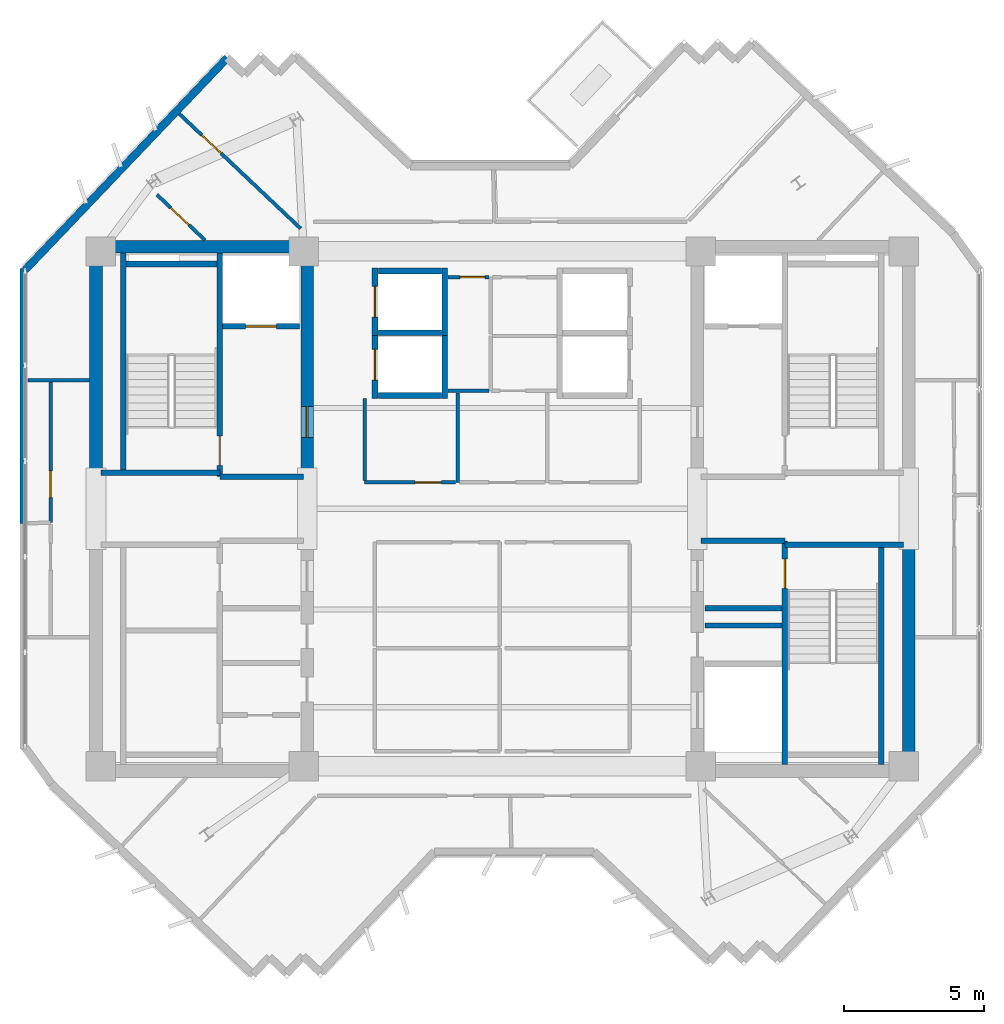
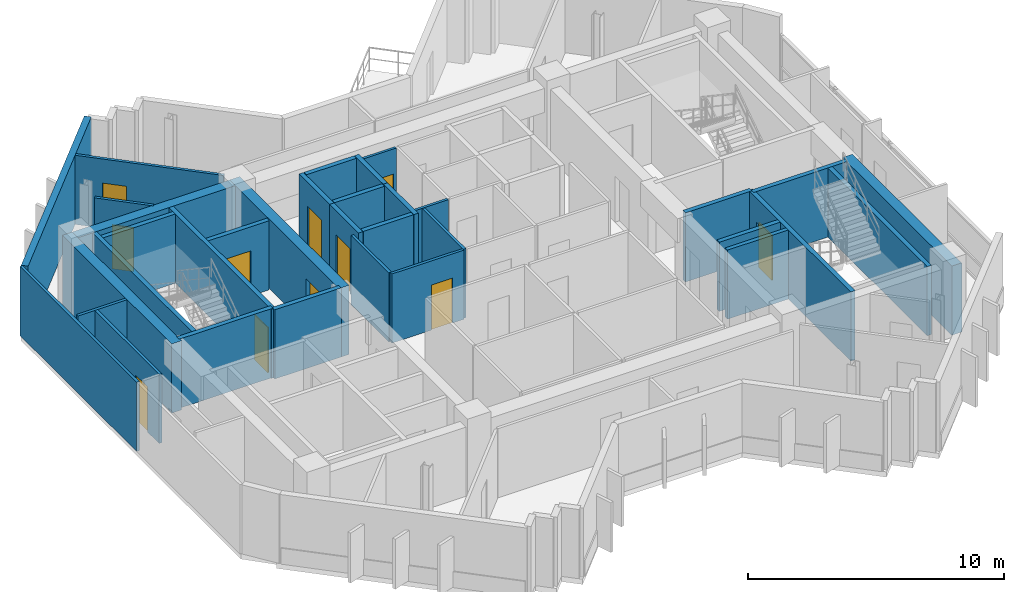
# One storey, part 5 of 9: 34 walls, 11 doors, 11 openings.
"""IFC4 building model written with IfcOpenShell, lengths in metres."""

from ifc_helpers import new_model, si_unit, direction, frame, frame_2d, origin, place, context, subcontext, project, spatial, rectangle, extrude, source, transform, mapped, material, layer, layer_set, type_object, element, fill, save


model = new_model("IFC4")

# Units and contexts
model_context = context("Model", 3, precision=1e-05, world=origin(), true_north=direction((0.0, 1.0)))
body_context = subcontext(model_context, "Body", "Model", "MODEL_VIEW")
ifc_project = project(units=[si_unit("LENGTHUNIT", "METRE"), si_unit("AREAUNIT", "SQUARE_METRE"), si_unit("VOLUMEUNIT", "CUBIC_METRE"), si_unit("PLANEANGLEUNIT", "RADIAN"), si_unit("MASSUNIT", "GRAM", prefix="KILO")], contexts=[model_context])

# Site, building, storey
site_placement = place(None, origin())
site = spatial("IfcSite", under=ifc_project, at=site_placement, CompositionType="ELEMENT")
building_placement = place(site_placement, origin())
building = spatial("IfcBuilding", under=site, at=building_placement, Name="Zahravan Cultural Tower", CompositionType="ELEMENT")
storey_placement = place(building_placement, frame((0.0, 0.0, 310.35009765625)))
storey = spatial("IfcBuildingStorey", under=building, at=storey_placement, Name="L75", CompositionType="ELEMENT", Elevation=310.35009765625)

# Wall, opening, door
ifc_material_1 = material(Name="Concrete C50/60", Category="concrete")
ifc_layer_1 = layer(ifc_material_1, 0.449951171875)
ifc_layer_set_1 = layer_set([ifc_layer_1], Name="Concrete C50/60")
wall_type_1 = type_object("IfcWallType", Name="CW-SHEAR-450-C50", PredefinedType="SHEAR", material=ifc_layer_set_1)
wall_1_placement = place(storey_placement, frame((29.02490234375, 28.050048828125, 0.0), z_axis=(0.0, 0.0, 1.0), x_axis=(0.0, 1.0, 0.0)))
wall_1 = element("IfcWall", 1, at=wall_1_placement, inside=storey, type_object=wall_type_1, Name="L75 Core Shear Wall CW-W-EN-L75", PredefinedType="SHEAR", context=body_context, shape_type="SweptSolid", body=[
    extrude(rectangle(XDim=8.550048828125, YDim=0.449951171875, at=frame_2d((4.27490234375, 0.0))), origin(), (0.0, 0.0, 1.0), 3.2998046875),
])
opening_1_placement = place(wall_1_placement, frame((1.5, 0.0, 0.0)))
opening_1 = element("IfcOpeningElement", 2, at=opening_1_placement, cuts=wall_1, Name="Opening D-L75-06", PredefinedType="OPENING", context=body_context, shape_type="SweptSolid", body=[
    extrude(rectangle(XDim=1.10009765625, YDim=2.199951171875, at=frame_2d((0.550048828125, 1.10009765625))), frame((0.0, 0.23486328125, 0.0), z_axis=(0.0, -1.0, 0.0), x_axis=(1.0, 0.0, 0.0)), (0.0, 0.0, 1.0), 0.469970703125),
])
ifc_material_2 = material(Name="Steel ASTM A572 Grade 50", Category="steel")
door_type_1 = type_object("IfcDoorType", Name="DR-LOBBY-1100", OperationType="NOTDEFINED", PredefinedType="DOOR", material=ifc_material_2)
shared_shape_1 = source(origin(), body_context, "Body", "SweptSolid", [
    extrude(rectangle(XDim=1.10009765625, YDim=2.199951171875, at=frame_2d((0.550048828125, 1.10009765625))), frame((0.0, 0.02490234375, 0.0), z_axis=(0.0, -1.0, 0.0), x_axis=(1.0, 0.0, 0.0)), (0.0, 0.0, 1.0), 0.050048828125),
])
door_1_placement = place(opening_1_placement, origin())
door_1 = element("IfcDoor", 3, at=door_1_placement, inside=storey, type_object=door_type_1, Name="L75 Door D-L75-06", OperationType="SINGLE_SWING_RIGHT", OverallHeight=2.199951171875, OverallWidth=1.10009765625, PredefinedType="DOOR", context=body_context, shape_type="MappedRepresentation", body=[
    mapped(shared_shape_1, transform((0.0, 0.0, 0.0), x_axis=(1.0, 0.0, 0.0), y_axis=(0.0, 1.0, 0.0), z_axis=(0.0, 0.0, 1.0), scale=1.0)),
])
fill(opening_1, door_1)

ifc_material_3 = material(Name="Gypsum plasterboard partition")
ifc_layer_2 = layer(ifc_material_3, 0.125)
ifc_layer_set_2 = layer_set([ifc_layer_2], Name="Gypsum plasterboard partition")
wall_type_2 = type_object("IfcWallType", Name="W-PART-125", PredefinedType="PARTITIONING", material=ifc_layer_set_2)
wall_2_placement = place(storey_placement, frame((23.651123046875, 38.230712890625, 0.0), z_axis=(0.0, 0.0, 1.0), x_axis=(0.726735597886, -0.686917295433, 0.0)))
wall_2 = element("IfcWall", 4, at=wall_2_placement, inside=storey, type_object=wall_type_2, Name="L75 Interior Wall 051", PredefinedType="PARTITIONING", context=body_context, shape_type="SweptSolid", body=[
    extrude(rectangle(XDim=2.36669921875, YDim=0.125, at=frame_2d((1.183349609375, 0.0))), origin(), (0.0, 0.0, 1.0), 3.2998046875),
])
opening_2_placement = place(wall_2_placement, frame((0.6923828125, 0.0, 0.0)))
opening_2 = element("IfcOpeningElement", 5, at=opening_2_placement, cuts=wall_2, Name="Opening D-L75-36", PredefinedType="OPENING", context=body_context, shape_type="SweptSolid", body=[
    extrude(rectangle(XDim=0.8798828125, YDim=2.10009765625, at=frame_2d((0.43994140625, 1.050048828125))), frame((0.0, 0.072509765625, 0.0), z_axis=(0.0, -1.0, 0.0), x_axis=(1.0, 0.0, 0.0)), (0.0, 0.0, 1.0), 0.14501953125),
])
ifc_material_4 = material(Name="Anodised bronze-aluminium mullion", Category="aluminium")
door_type_2 = type_object("IfcDoorType", Name="DR-ROOM-880", OperationType="NOTDEFINED", PredefinedType="DOOR", material=ifc_material_4)
shared_shape_2 = source(origin(), body_context, "Body", "SweptSolid", [
    extrude(rectangle(XDim=0.8798828125, YDim=2.10009765625, at=frame_2d((0.43994140625, 1.050048828125))), frame((0.0, 0.02490234375, 0.0), z_axis=(0.0, -1.0, 0.0), x_axis=(1.0, 0.0, 0.0)), (0.0, 0.0, 1.0), 0.050048828125),
])
door_2_placement = place(opening_2_placement, origin())
door_2 = element("IfcDoor", 6, at=door_2_placement, inside=storey, type_object=door_type_2, Name="L75 Door D-L75-36", OperationType="SINGLE_SWING_RIGHT", OverallHeight=2.10009765625, OverallWidth=0.8798828125, PredefinedType="DOOR", context=body_context, shape_type="MappedRepresentation", body=[
    mapped(shared_shape_2, transform((0.0, 0.0, 0.0), x_axis=(1.0, 0.0, 0.0), y_axis=(0.0, 1.0, 0.0), z_axis=(0.0, 0.0, 1.0), scale=1.0)),
])
fill(opening_2, door_2)

wall_3_placement = place(storey_placement, frame((34.33251953125, 27.93994140625, 0.0), z_axis=(0.0, 0.0, 1.0), x_axis=(-1.0, 0.0, 0.0)))
wall_3 = element("IfcWall", 7, at=wall_3_placement, inside=storey, type_object=wall_type_2, Name="L75 Interior Wall 056", PredefinedType="PARTITIONING", context=body_context, shape_type="SweptSolid", body=[
    extrude(rectangle(XDim=3.25244140625, YDim=0.125, at=frame_2d((1.626220703125, 0.0))), origin(), (0.0, 0.0, 1.0), 3.2998046875),
])
opening_3_placement = place(wall_3_placement, frame((0.506591796875, 0.0, 0.0)))
opening_3 = element("IfcOpeningElement", 8, at=opening_3_placement, cuts=wall_3, Name="Opening D-L75-20", PredefinedType="OPENING", context=body_context, shape_type="SweptSolid", body=[
    extrude(rectangle(XDim=0.949951171875, YDim=2.14990234375, at=frame_2d((0.47509765625, 1.074951171875))), frame((0.0, 0.072509765625, 0.0), z_axis=(0.0, -1.0, 0.0), x_axis=(1.0, 0.0, 0.0)), (0.0, 0.0, 1.0), 0.14501953125),
])
door_type_3 = type_object("IfcDoorType", Name="DR-ROOM-950", OperationType="NOTDEFINED", PredefinedType="DOOR", material=ifc_material_4)
shared_shape_3 = source(origin(), body_context, "Body", "SweptSolid", [
    extrude(rectangle(XDim=0.949951171875, YDim=2.14990234375, at=frame_2d((0.47509765625, 1.074951171875))), frame((0.0, 0.02490234375, 0.0), z_axis=(0.0, -1.0, 0.0), x_axis=(1.0, 0.0, 0.0)), (0.0, 0.0, 1.0), 0.050048828125),
])
door_3_placement = place(opening_3_placement, origin())
door_3 = element("IfcDoor", 9, at=door_3_placement, inside=storey, type_object=door_type_3, Name="L75 Door D-L75-20", OperationType="SINGLE_SWING_RIGHT", OverallHeight=2.14990234375, OverallWidth=0.949951171875, PredefinedType="DOOR", context=body_context, shape_type="MappedRepresentation", body=[
    mapped(shared_shape_3, transform((0.0, 0.0, 0.0), x_axis=(1.0, 0.0, 0.0), y_axis=(0.0, 1.0, 0.0), z_axis=(0.0, 0.0, 1.0), scale=1.0)),
])
fill(opening_3, door_3)

wall_4_placement = place(storey_placement, frame((24.45556640625, 41.11669921875, 0.0), z_axis=(0.0, 0.0, 1.0), x_axis=(0.726761082497, -0.686890332562, 0.0)))
wall_4 = element("IfcWall", 10, at=wall_4_placement, inside=storey, type_object=wall_type_2, Name="L75 Interior Wall 060", PredefinedType="PARTITIONING", context=body_context, shape_type="SweptSolid", body=[
    extrude(rectangle(XDim=5.964111328125, YDim=0.125, at=frame_2d((2.98193359375, 0.0))), origin(), (0.0, 0.0, 1.0), 3.2998046875),
])
opening_4_placement = place(wall_4_placement, frame((1.10302734375, 0.0, 0.0)))
opening_4 = element("IfcOpeningElement", 11, at=opening_4_placement, cuts=wall_4, Name="Opening D-L75-33", PredefinedType="OPENING", context=body_context, shape_type="SweptSolid", body=[
    extrude(rectangle(XDim=0.949951171875, YDim=2.14990234375, at=frame_2d((0.47509765625, 1.074951171875))), frame((0.0, 0.072509765625, 0.0), z_axis=(0.0, -1.0, 0.0), x_axis=(1.0, 0.0, 0.0)), (0.0, 0.0, 1.0), 0.14501953125),
])
door_4_placement = place(opening_4_placement, origin())
door_4 = element("IfcDoor", 12, at=door_4_placement, inside=storey, type_object=door_type_3, Name="L75 Door D-L75-33", OperationType="SINGLE_SWING_LEFT", OverallHeight=2.14990234375, OverallWidth=0.949951171875, PredefinedType="DOOR", context=body_context, shape_type="MappedRepresentation", body=[
    mapped(shared_shape_3, transform((0.0, 0.0, 0.0), x_axis=(1.0, 0.0, 0.0), y_axis=(0.0, 1.0, 0.0), z_axis=(0.0, 0.0, 1.0), scale=1.0)),
])
fill(opening_4, door_4)

wall_5_placement = place(storey_placement, frame((19.8505859375, 31.529052734375, 0.0), z_axis=(0.0, 0.0, 1.0), x_axis=(-9.7219521e-05, -0.999999995274, 0.0)))
wall_5 = element("IfcWall", 13, at=wall_5_placement, inside=storey, type_object=wall_type_2, Name="L75 Interior Wall 078", PredefinedType="PARTITIONING", context=body_context, shape_type="SweptSolid", body=[
    extrude(rectangle(XDim=5.0224609375, YDim=0.125, at=frame_2d((2.51123046875, 0.0))), origin(), (0.0, 0.0, 1.0), 3.2998046875),
])
opening_5_placement = place(wall_5_placement, frame((3.176513671875, 0.0, 0.0)))
opening_5 = element("IfcOpeningElement", 14, at=opening_5_placement, cuts=wall_5, Name="Opening D-L75-26", PredefinedType="OPENING", context=body_context, shape_type="SweptSolid", body=[
    extrude(rectangle(XDim=0.949951171875, YDim=2.14990234375, at=frame_2d((0.47509765625, 1.074951171875))), frame((0.0, 0.072509765625, 0.0), z_axis=(0.0, -1.0, 0.0), x_axis=(1.0, 0.0, 0.0)), (0.0, 0.0, 1.0), 0.14501953125),
])
door_5_placement = place(opening_5_placement, origin())
door_5 = element("IfcDoor", 15, at=door_5_placement, inside=storey, type_object=door_type_3, Name="L75 Door D-L75-26", OperationType="SINGLE_SWING_RIGHT", OverallHeight=2.14990234375, OverallWidth=0.949951171875, PredefinedType="DOOR", context=body_context, shape_type="MappedRepresentation", body=[
    mapped(shared_shape_3, transform((0.0, 0.0, 0.0), x_axis=(1.0, 0.0, 0.0), y_axis=(0.0, 1.0, 0.0), z_axis=(0.0, 0.0, 1.0), scale=1.0)),
])
fill(opening_5, door_5)

ifc_material_5 = material(Name="Concrete C45/55", Category="concrete")
ifc_layer_3 = layer(ifc_material_5, 0.199951171875)
ifc_layer_set_3 = layer_set([ifc_layer_3], Name="Concrete C45/55")
wall_type_3 = type_object("IfcWallType", Name="W-SHAFT-200", PredefinedType="SOLIDWALL", material=ifc_layer_set_3)
wall_6_placement = place(storey_placement, frame((25.89990234375, 28.14990234375, 0.0), z_axis=(0.0, 0.0, 1.0), x_axis=(0.0, 1.0, 0.0)))
wall_6 = element("IfcWall", 16, at=wall_6_placement, inside=storey, type_object=wall_type_3, Name="L75 Interior Wall 006", PredefinedType="SOLIDWALL", context=body_context, shape_type="SweptSolid", body=[
    extrude(rectangle(XDim=8.0, YDim=0.199951171875, at=frame_2d((4.0, 0.0))), origin(), (0.0, 0.0, 1.0), 3.2998046875),
])
opening_6_placement = place(wall_6_placement, frame((0.39990234375, 0.0, 0.0)))
opening_6 = element("IfcOpeningElement", 17, at=opening_6_placement, cuts=wall_6, Name="Opening D-L75-01", PredefinedType="OPENING", context=body_context, shape_type="SweptSolid", body=[
    extrude(rectangle(XDim=1.050048828125, YDim=2.14990234375, at=frame_2d((0.52490234375, 1.074951171875))), frame((0.0, 0.10986328125, 0.0), z_axis=(0.0, -1.0, 0.0), x_axis=(1.0, 0.0, 0.0)), (0.0, 0.0, 1.0), 0.219970703125),
])
door_type_4 = type_object("IfcDoorType", Name="DR-STAIR-1050", OperationType="NOTDEFINED", PredefinedType="DOOR", material=ifc_material_2)
shared_shape_4 = source(origin(), body_context, "Body", "SweptSolid", [
    extrude(rectangle(XDim=1.050048828125, YDim=2.14990234375, at=frame_2d((0.52490234375, 1.074951171875))), frame((0.0, 0.02490234375, 0.0), z_axis=(0.0, -1.0, 0.0), x_axis=(1.0, 0.0, 0.0)), (0.0, 0.0, 1.0), 0.050048828125),
])
door_6_placement = place(opening_6_placement, origin())
door_6 = element("IfcDoor", 18, at=door_6_placement, inside=storey, type_object=door_type_4, Name="L75 Door D-L75-01", OperationType="SINGLE_SWING_LEFT", OverallHeight=2.14990234375, OverallWidth=1.050048828125, PredefinedType="DOOR", context=body_context, shape_type="MappedRepresentation", body=[
    mapped(shared_shape_4, transform((0.0, 0.0, 0.0), x_axis=(1.0, 0.0, 0.0), y_axis=(0.0, 1.0, 0.0), z_axis=(0.0, 0.0, 1.0), scale=1.0)),
])
fill(opening_6, door_6)

wall_7_placement = place(storey_placement, frame((46.10009765625, 17.85009765625, 0.0), z_axis=(0.0, 0.0, 1.0), x_axis=(0.0, 1.0, 0.0)))
wall_7 = element("IfcWall", 19, at=wall_7_placement, inside=storey, type_object=wall_type_3, Name="L75 Interior Wall 007", PredefinedType="SOLIDWALL", context=body_context, shape_type="SweptSolid", body=[
    extrude(rectangle(XDim=8.0, YDim=0.199951171875, at=frame_2d((4.0, 0.0))), origin(), (0.0, 0.0, 1.0), 3.2998046875),
])
opening_7_placement = place(wall_7_placement, frame((6.300048828125, 0.0, 0.0)))
opening_7 = element("IfcOpeningElement", 20, at=opening_7_placement, cuts=wall_7, Name="Opening D-L75-03", PredefinedType="OPENING", context=body_context, shape_type="SweptSolid", body=[
    extrude(rectangle(XDim=1.050048828125, YDim=2.14990234375, at=frame_2d((0.52490234375, 1.074951171875))), frame((0.0, 0.10986328125, 0.0), z_axis=(0.0, -1.0, 0.0), x_axis=(1.0, 0.0, 0.0)), (0.0, 0.0, 1.0), 0.219970703125),
])
door_7_placement = place(opening_7_placement, origin())
door_7 = element("IfcDoor", 21, at=door_7_placement, inside=storey, type_object=door_type_4, Name="L75 Door D-L75-03", OperationType="SINGLE_SWING_LEFT", OverallHeight=2.14990234375, OverallWidth=1.050048828125, PredefinedType="DOOR", context=body_context, shape_type="MappedRepresentation", body=[
    mapped(shared_shape_4, transform((0.0, 0.0, 0.0), x_axis=(1.0, 0.0, 0.0), y_axis=(0.0, 1.0, 0.0), z_axis=(0.0, 0.0, 1.0), scale=1.0)),
])
fill(opening_7, door_7)

wall_8_placement = place(storey_placement, frame((26.0, 33.52001953125, 0.0), z_axis=(0.0, 0.0, 1.0), x_axis=(1.0, 0.0, 0.0)))
wall_8 = element("IfcWall", 22, at=wall_8_placement, inside=storey, type_object=wall_type_3, Name="L75 Interior Wall 022", PredefinedType="SOLIDWALL", context=body_context, shape_type="SweptSolid", body=[
    extrude(rectangle(XDim=2.75, YDim=0.199951171875, at=frame_2d((1.375, 0.0))), origin(), (0.0, 0.0, 1.0), 3.2998046875),
])
opening_8_placement = place(wall_8_placement, frame((0.820068359375, 0.0, 0.0)))
opening_8 = element("IfcOpeningElement", 23, at=opening_8_placement, cuts=wall_8, Name="Opening LD-L75-01", PredefinedType="OPENING", context=body_context, shape_type="SweptSolid", body=[
    extrude(rectangle(XDim=1.10009765625, YDim=2.14990234375, at=frame_2d((0.550048828125, 1.074951171875))), frame((0.0, 0.10986328125, 0.0), z_axis=(0.0, -1.0, 0.0), x_axis=(1.0, 0.0, 0.0)), (0.0, 0.0, 1.0), 0.219970703125),
])
door_type_5 = type_object("IfcDoorType", Name="DR-LIFT-1100", OperationType="DOUBLE_DOOR_SLIDING", PredefinedType="DOOR", material=ifc_material_2)
shared_shape_5 = source(origin(), body_context, "Body", "SweptSolid", [
    extrude(rectangle(XDim=1.10009765625, YDim=2.14990234375, at=frame_2d((0.550048828125, 1.074951171875))), frame((0.0, 0.02490234375, 0.0), z_axis=(0.0, -1.0, 0.0), x_axis=(1.0, 0.0, 0.0)), (0.0, 0.0, 1.0), 0.050048828125),
])
door_8_placement = place(opening_8_placement, origin())
door_8 = element("IfcDoor", 24, at=door_8_placement, inside=storey, type_object=door_type_5, Name="L75 Door LD-L75-01", OperationType="DOUBLE_DOOR_SLIDING", OverallHeight=2.14990234375, OverallWidth=1.10009765625, PredefinedType="DOOR", context=body_context, shape_type="MappedRepresentation", body=[
    mapped(shared_shape_5, transform((0.0, 0.0, 0.0), x_axis=(1.0, 0.0, 0.0), y_axis=(0.0, 1.0, 0.0), z_axis=(0.0, 0.0, 1.0), scale=1.0)),
])
fill(opening_8, door_8)

wall_9_placement = place(storey_placement, frame((31.449951171875, 33.199951171875, 0.0), z_axis=(0.0, 0.0, 1.0), x_axis=(0.0, 1.0, 0.0)))
wall_9 = element("IfcWall", 25, at=wall_9_placement, inside=storey, type_object=wall_type_3, Name="L75 Interior Wall 030", PredefinedType="SOLIDWALL", context=body_context, shape_type="SweptSolid", body=[
    extrude(rectangle(XDim=2.400146484375, YDim=0.199951171875, at=frame_2d((1.2001953125, 0.0))), origin(), (0.0, 0.0, 1.0), 3.2998046875),
])
opening_9_placement = place(wall_9_placement, frame((0.64990234375, 0.0, 0.0)))
opening_9 = element("IfcOpeningElement", 26, at=opening_9_placement, cuts=wall_9, Name="Opening LD-L75-04", PredefinedType="OPENING", context=body_context, shape_type="SweptSolid", body=[
    extrude(rectangle(XDim=1.10009765625, YDim=2.14990234375, at=frame_2d((0.550048828125, 1.074951171875))), frame((0.0, 0.10986328125, 0.0), z_axis=(0.0, -1.0, 0.0), x_axis=(1.0, 0.0, 0.0)), (0.0, 0.0, 1.0), 0.219970703125),
])
door_9_placement = place(opening_9_placement, origin())
door_9 = element("IfcDoor", 27, at=door_9_placement, inside=storey, type_object=door_type_5, Name="L75 Door LD-L75-04", OperationType="DOUBLE_DOOR_SLIDING", OverallHeight=2.14990234375, OverallWidth=1.10009765625, PredefinedType="DOOR", context=body_context, shape_type="MappedRepresentation", body=[
    mapped(shared_shape_5, transform((0.0, 0.0, 0.0), x_axis=(1.0, 0.0, 0.0), y_axis=(0.0, 1.0, 0.0), z_axis=(0.0, 0.0, 1.0), scale=1.0)),
])
fill(opening_9, door_9)

wall_10_placement = place(storey_placement, frame((31.449951171875, 30.949951171875, 0.0), z_axis=(0.0, 0.0, 1.0), x_axis=(0.0, 1.0, 0.0)))
wall_10 = element("IfcWall", 28, at=wall_10_placement, inside=storey, type_object=wall_type_3, Name="L75 Interior Wall 034", PredefinedType="SOLIDWALL", context=body_context, shape_type="SweptSolid", body=[
    extrude(rectangle(XDim=2.400146484375, YDim=0.199951171875, at=frame_2d((1.2001953125, 0.0))), origin(), (0.0, 0.0, 1.0), 3.2998046875),
])
opening_10_placement = place(wall_10_placement, frame((0.64990234375, 0.0, 0.0)))
opening_10 = element("IfcOpeningElement", 29, at=opening_10_placement, cuts=wall_10, Name="Opening LD-L75-05", PredefinedType="OPENING", context=body_context, shape_type="SweptSolid", body=[
    extrude(rectangle(XDim=1.10009765625, YDim=2.14990234375, at=frame_2d((0.550048828125, 1.074951171875))), frame((0.0, 0.10986328125, 0.0), z_axis=(0.0, -1.0, 0.0), x_axis=(1.0, 0.0, 0.0)), (0.0, 0.0, 1.0), 0.219970703125),
])
door_10_placement = place(opening_10_placement, origin())
door_10 = element("IfcDoor", 30, at=door_10_placement, inside=storey, type_object=door_type_5, Name="L75 Door LD-L75-05", OperationType="DOUBLE_DOOR_SLIDING", OverallHeight=2.14990234375, OverallWidth=1.10009765625, PredefinedType="DOOR", context=body_context, shape_type="MappedRepresentation", body=[
    mapped(shared_shape_5, transform((0.0, 0.0, 0.0), x_axis=(1.0, 0.0, 0.0), y_axis=(0.0, 1.0, 0.0), z_axis=(0.0, 0.0, 1.0), scale=1.0)),
])
fill(opening_10, door_10)

ifc_layer_4 = layer(ifc_material_3, 0.114990234375)
ifc_layer_set_4 = layer_set([ifc_layer_4], Name="Gypsum plasterboard partition")
wall_type_4 = type_object("IfcWallType", Name="W-WC-115", PredefinedType="PARTITIONING", material=ifc_layer_set_4)
wall_11_placement = place(storey_placement, frame((34.054931640625, 35.280029296875, 0.0), z_axis=(0.0, 0.0, 1.0), x_axis=(1.0, 0.0, 0.0)))
wall_11 = element("IfcWall", 31, at=wall_11_placement, inside=storey, type_object=wall_type_4, Name="L75 Interior Wall 050", PredefinedType="PARTITIONING", context=body_context, shape_type="SweptSolid", body=[
    extrude(rectangle(XDim=1.47265625, YDim=0.114990234375, at=frame_2d((0.736328125, 0.0))), origin(), (0.0, 0.0, 1.0), 3.2998046875),
])
opening_11_placement = place(wall_11_placement, frame((0.4326171875, 0.0, 0.0)))
opening_11 = element("IfcOpeningElement", 32, at=opening_11_placement, cuts=wall_11, Name="Opening D-L75-18", PredefinedType="OPENING", context=body_context, shape_type="SweptSolid", body=[
    extrude(rectangle(XDim=0.89990234375, YDim=2.10009765625, at=frame_2d((0.449951171875, 1.050048828125))), frame((0.0, 0.0673828125, 0.0), z_axis=(0.0, -1.0, 0.0), x_axis=(1.0, 0.0, 0.0)), (0.0, 0.0, 1.0), 0.135009765625),
])
door_type_6 = type_object("IfcDoorType", Name="DR-WC-900", OperationType="NOTDEFINED", PredefinedType="DOOR", material=ifc_material_4)
shared_shape_6 = source(origin(), body_context, "Body", "SweptSolid", [
    extrude(rectangle(XDim=0.89990234375, YDim=2.10009765625, at=frame_2d((0.449951171875, 1.050048828125))), frame((0.0, 0.02490234375, 0.0), z_axis=(0.0, -1.0, 0.0), x_axis=(1.0, 0.0, 0.0)), (0.0, 0.0, 1.0), 0.050048828125),
])
door_11_placement = place(opening_11_placement, origin())
door_11 = element("IfcDoor", 33, at=door_11_placement, inside=storey, type_object=door_type_6, Name="L75 Door D-L75-18", OperationType="SINGLE_SWING_RIGHT", OverallHeight=2.10009765625, OverallWidth=0.89990234375, PredefinedType="DOOR", context=body_context, shape_type="MappedRepresentation", body=[
    mapped(shared_shape_6, transform((0.0, 0.0, 0.0), x_axis=(1.0, 0.0, 0.0), y_axis=(0.0, 1.0, 0.0), z_axis=(0.0, 0.0, 1.0), scale=1.0)),
])
fill(opening_11, door_11)

# Walls
shared_shape_7 = source(origin(), body_context, "Body", "SweptSolid", [
    extrude(rectangle(XDim=8.550048828125, YDim=0.449951171875, at=frame_2d((4.27490234375, 0.0))), origin(), (0.0, 0.0, 1.0), 3.2998046875),
])
for number, where, z_axis, x_axis, name in (
    (34, (21.47509765625, 28.050048828125, 0.0), (0.0, 0.0, 1.0), (0.0, 1.0, 0.0), "L75 Core Shear Wall CW-W-WN-L75"),
    (35, (50.52490234375, 17.39990234375, 0.0), (0.0, 0.0, 1.0), (0.0, 1.0, 0.0), "L75 Core Shear Wall CW-E-ES-L75"),
):
    element("IfcWall", number, at=place(storey_placement, frame(where, z_axis=z_axis, x_axis=x_axis)), inside=storey, type_object=wall_type_1, Name=name, PredefinedType="SHEAR", context=body_context, shape_type="MappedRepresentation", body=[
        mapped(shared_shape_7, transform((0.0, 0.0, 0.0), x_axis=(1.0, 0.0, 0.0), y_axis=(0.0, 1.0, 0.0), z_axis=(0.0, 0.0, 1.0), scale=1.0)),
    ])
shared_shape_8 = source(origin(), body_context, "Body", "SweptSolid", [
    extrude(rectangle(XDim=7.10009765625, YDim=0.449951171875, at=frame_2d((3.550048828125, 0.0))), origin(), (0.0, 0.0, 1.0), 3.2998046875),
])
wall_12_placement = place(storey_placement, frame((21.699951171875, 36.375, 0.0), z_axis=(0.0, 0.0, 1.0), x_axis=(1.0, 0.0, 0.0)))
element("IfcWall", 36, at=wall_12_placement, inside=storey, type_object=wall_type_1, Name="L75 Core Shear Wall CW-W-N-L75", PredefinedType="SHEAR", context=body_context, shape_type="MappedRepresentation", body=[
    mapped(shared_shape_8, transform((0.0, 0.0, 0.0), x_axis=(1.0, 0.0, 0.0), y_axis=(0.0, 1.0, 0.0), z_axis=(0.0, 0.0, 1.0), scale=1.0)),
])
ifc_material_6 = material(Name="Precast concrete C40/50", Category="concrete")
ifc_layer_5 = layer(ifc_material_6, 0.280029296875)
ifc_layer_set_5 = layer_set([ifc_layer_5], Name="Precast concrete C40/50")
wall_type_5 = type_object("IfcWallType", Name="EW-TC-280", PredefinedType="SOLIDWALL", material=ifc_layer_set_5)
shared_shape_9 = source(origin(), body_context, "Body", "SweptSolid", [
    extrude(rectangle(XDim=10.469970703125, YDim=0.280029296875, at=frame_2d((5.23486328125, 0.0))), origin(), (0.0, 0.0, 1.0), 3.2998046875),
])
wall_13_placement = place(storey_placement, frame((18.93994140625, 35.5419921875, 0.0), z_axis=(0.0, 0.0, 1.0), x_axis=(0.690070788875, 0.723741878256, 0.0)))
element("IfcWall", 37, at=wall_13_placement, inside=storey, type_object=wall_type_5, Name="L75 Exterior Masonry Frame Wall 22", PredefinedType="SOLIDWALL", context=body_context, shape_type="MappedRepresentation", body=[
    mapped(shared_shape_9, transform((0.0, 0.0, 0.0), x_axis=(1.0, 0.0, 0.0), y_axis=(0.0, 1.0, 0.0), z_axis=(0.0, 0.0, 1.0), scale=1.0)),
])
shared_shape_10 = source(origin(), body_context, "Body", "SweptSolid", [
    extrude(rectangle(XDim=7.869873046875, YDim=0.199951171875, at=frame_2d((3.93505859375, 0.0))), origin(), (0.0, 0.0, 1.0), 3.2998046875),
])
for number, where, z_axis, x_axis, name in (
    (38, (22.449951171875, 28.280029296875, 0.0), (0.0, 0.0, 1.0), (0.0, 1.0, 0.0), "L75 Interior Wall 002"),
    (39, (49.550048828125, 17.85009765625, 0.0), (0.0, 0.0, 1.0), (0.0, 1.0, 0.0), "L75 Interior Wall 003"),
):
    element("IfcWall", number, at=place(storey_placement, frame(where, z_axis=z_axis, x_axis=x_axis)), inside=storey, type_object=wall_type_3, Name=name, PredefinedType="SOLIDWALL", context=body_context, shape_type="MappedRepresentation", body=[
        mapped(shared_shape_10, transform((0.0, 0.0, 0.0), x_axis=(1.0, 0.0, 0.0), y_axis=(0.0, 1.0, 0.0), z_axis=(0.0, 0.0, 1.0), scale=1.0)),
    ])
shared_shape_11 = source(origin(), body_context, "Body", "SweptSolid", [
    extrude(rectangle(XDim=4.25, YDim=0.199951171875, at=frame_2d((2.125, 0.0))), origin(), (0.0, 0.0, 1.0), 3.2998046875),
])
for number, where, z_axis, x_axis, name in (
    (40, (21.64990234375, 28.284912109375, 0.0), (0.0, 0.0, 1.0), (1.0, 0.0, 0.0), "L75 Interior Wall 011"),
    (41, (46.10009765625, 25.715087890625, 0.0), (0.0, 0.0, 1.0), (1.0, 0.0, 0.0), "L75 Interior Wall 014"),
):
    element("IfcWall", number, at=place(storey_placement, frame(where, z_axis=z_axis, x_axis=x_axis)), inside=storey, type_object=wall_type_3, Name=name, PredefinedType="SOLIDWALL", context=body_context, shape_type="MappedRepresentation", body=[
        mapped(shared_shape_11, transform((0.0, 0.0, 0.0), x_axis=(1.0, 0.0, 0.0), y_axis=(0.0, 1.0, 0.0), z_axis=(0.0, 0.0, 1.0), scale=1.0)),
    ])
shared_shape_12 = source(origin(), body_context, "Body", "SweptSolid", [
    extrude(rectangle(XDim=3.0, YDim=0.199951171875, at=frame_2d((1.5, 0.0))), origin(), (0.0, 0.0, 1.0), 3.2998046875),
])
for number, where, z_axis, x_axis, name in (
    (42, (25.89990234375, 28.14990234375, 0.0), (0.0, 0.0, 1.0), (1.0, 0.0, 0.0), "L75 Interior Wall 012"),
    (43, (43.10009765625, 25.85009765625, 0.0), (0.0, 0.0, 1.0), (1.0, 0.0, 0.0), "L75 Interior Wall 013"),
):
    element("IfcWall", number, at=place(storey_placement, frame(where, z_axis=z_axis, x_axis=x_axis)), inside=storey, type_object=wall_type_3, Name=name, PredefinedType="SOLIDWALL", context=body_context, shape_type="MappedRepresentation", body=[
        mapped(shared_shape_12, transform((0.0, 0.0, 0.0), x_axis=(1.0, 0.0, 0.0), y_axis=(0.0, 1.0, 0.0), z_axis=(0.0, 0.0, 1.0), scale=1.0)),
    ])
shared_shape_13 = source(origin(), body_context, "Body", "SweptSolid", [
    extrude(rectangle(XDim=3.25, YDim=0.199951171875, at=frame_2d((1.625, 0.0))), origin(), (0.0, 0.0, 1.0), 3.2998046875),
])
wall_14_placement = place(storey_placement, frame((22.550048828125, 35.75, 0.0), z_axis=(0.0, 0.0, 1.0), x_axis=(1.0, 0.0, 0.0)))
element("IfcWall", 44, at=wall_14_placement, inside=storey, type_object=wall_type_3, Name="L75 Interior Wall 017", PredefinedType="SOLIDWALL", context=body_context, shape_type="MappedRepresentation", body=[
    mapped(shared_shape_13, transform((0.0, 0.0, 0.0), x_axis=(1.0, 0.0, 0.0), y_axis=(0.0, 1.0, 0.0), z_axis=(0.0, 0.0, 1.0), scale=1.0)),
])
shared_shape_14 = source(origin(), body_context, "Body", "SweptSolid", [
    extrude(rectangle(XDim=2.75, YDim=0.199951171875, at=frame_2d((1.375, 0.0))), origin(), (0.0, 0.0, 1.0), 3.2998046875),
])
wall_15_placement = place(storey_placement, frame((43.25, 23.449951171875, 0.0), z_axis=(0.0, 0.0, 1.0), x_axis=(1.0, 0.0, 0.0)))
element("IfcWall", 45, at=wall_15_placement, inside=storey, type_object=wall_type_3, Name="L75 Interior Wall 025", PredefinedType="SOLIDWALL", context=body_context, shape_type="MappedRepresentation", body=[
    mapped(shared_shape_14, transform((0.0, 0.0, 0.0), x_axis=(1.0, 0.0, 0.0), y_axis=(0.0, 1.0, 0.0), z_axis=(0.0, 0.0, 1.0), scale=1.0)),
])
ifc_layer_6 = layer(ifc_material_3, 0.179931640625)
ifc_layer_set_6 = layer_set([ifc_layer_6], Name="Gypsum plasterboard partition")
wall_type_6 = type_object("IfcWallType", Name="W-COMP-180", PredefinedType="PARTITIONING", material=ifc_layer_set_6)
shared_shape_15 = source(origin(), body_context, "Body", "SweptSolid", [
    extrude(rectangle(XDim=2.75, YDim=0.179931640625, at=frame_2d((1.375, 0.0))), origin(), (0.0, 0.0, 1.0), 3.2998046875),
])
wall_16_placement = place(storey_placement, frame((43.25, 22.820068359375, 0.0), z_axis=(0.0, 0.0, 1.0), x_axis=(1.0, 0.0, 0.0)))
element("IfcWall", 46, at=wall_16_placement, inside=storey, type_object=wall_type_6, Name="L75 Interior Wall 029", PredefinedType="PARTITIONING", context=body_context, shape_type="MappedRepresentation", body=[
    mapped(shared_shape_15, transform((0.0, 0.0, 0.0), x_axis=(1.0, 0.0, 0.0), y_axis=(0.0, 1.0, 0.0), z_axis=(0.0, 0.0, 1.0), scale=1.0)),
])
shared_shape_16 = source(origin(), body_context, "Body", "SweptSolid", [
    extrude(rectangle(XDim=2.400146484375, YDim=0.199951171875, at=frame_2d((1.2001953125, 0.0))), origin(), (0.0, 0.0, 1.0), 3.2998046875),
])
for number, where, z_axis, x_axis, name in (
    (47, (33.949951171875, 33.199951171875, 0.0), (0.0, 0.0, 1.0), (0.0, 1.0, 0.0), "L75 Interior Wall 031"),
    (48, (33.949951171875, 30.949951171875, 0.0), (0.0, 0.0, 1.0), (0.0, 1.0, 0.0), "L75 Interior Wall 035"),
):
    element("IfcWall", number, at=place(storey_placement, frame(where, z_axis=z_axis, x_axis=x_axis)), inside=storey, type_object=wall_type_3, Name=name, PredefinedType="SOLIDWALL", context=body_context, shape_type="MappedRepresentation", body=[
        mapped(shared_shape_16, transform((0.0, 0.0, 0.0), x_axis=(1.0, 0.0, 0.0), y_axis=(0.0, 1.0, 0.0), z_axis=(0.0, 0.0, 1.0), scale=1.0)),
    ])
shared_shape_17 = source(origin(), body_context, "Body", "SweptSolid", [
    extrude(rectangle(XDim=2.260009765625, YDim=0.199951171875, at=frame_2d((1.1298828125, 0.0))), origin(), (0.0, 0.0, 1.0), 3.2998046875),
])
for number, where, z_axis, x_axis, name in (
    (49, (31.570068359375, 33.300048828125, 0.0), (0.0, 0.0, 1.0), (1.0, 0.0, 0.0), "L75 Interior Wall 032"),
    (50, (31.570068359375, 35.5, 0.0), (0.0, 0.0, 1.0), (1.0, 0.0, 0.0), "L75 Interior Wall 033"),
    (51, (31.570068359375, 31.050048828125, 0.0), (0.0, 0.0, 1.0), (1.0, 0.0, 0.0), "L75 Interior Wall 036"),
):
    element("IfcWall", number, at=place(storey_placement, frame(where, z_axis=z_axis, x_axis=x_axis)), inside=storey, type_object=wall_type_3, Name=name, PredefinedType="SOLIDWALL", context=body_context, shape_type="MappedRepresentation", body=[
        mapped(shared_shape_17, transform((0.0, 0.0, 0.0), x_axis=(1.0, 0.0, 0.0), y_axis=(0.0, 1.0, 0.0), z_axis=(0.0, 0.0, 1.0), scale=1.0)),
    ])
shared_shape_18 = source(origin(), body_context, "Body", "SweptSolid", [
    extrude(rectangle(XDim=1.47265625, YDim=0.114990234375, at=frame_2d((0.736328125, 0.0))), origin(), (0.0, 0.0, 1.0), 3.2998046875),
])
wall_17_placement = place(storey_placement, frame((35.527587890625, 31.219970703125, 0.0), z_axis=(0.0, 0.0, 1.0), x_axis=(-1.0, 0.0, 0.0)))
element("IfcWall", 52, at=wall_17_placement, inside=storey, type_object=wall_type_4, Name="L75 Interior Wall 049", PredefinedType="PARTITIONING", context=body_context, shape_type="MappedRepresentation", body=[
    mapped(shared_shape_18, transform((0.0, 0.0, 0.0), x_axis=(1.0, 0.0, 0.0), y_axis=(0.0, 1.0, 0.0), z_axis=(0.0, 0.0, 1.0), scale=1.0)),
])
shared_shape_19 = source(origin(), body_context, "Body", "SweptSolid", [
    extrude(rectangle(XDim=3.199951171875, YDim=0.125, at=frame_2d((1.60009765625, 0.0))), origin(), (0.0, 0.0, 1.0), 3.2998046875),
])
wall_18_placement = place(storey_placement, frame((34.39990234375, 27.93994140625, 0.0), z_axis=(0.0, 0.0, 1.0), x_axis=(0.0, 1.0, 0.0)))
element("IfcWall", 53, at=wall_18_placement, inside=storey, type_object=wall_type_2, Name="L75 Interior Wall 053", PredefinedType="PARTITIONING", context=body_context, shape_type="MappedRepresentation", body=[
    mapped(shared_shape_19, transform((0.0, 0.0, 0.0), x_axis=(1.0, 0.0, 0.0), y_axis=(0.0, 1.0, 0.0), z_axis=(0.0, 0.0, 1.0), scale=1.0)),
])
shared_shape_20 = source(origin(), body_context, "Body", "SweptSolid", [
    extrude(rectangle(XDim=2.9423828125, YDim=0.125, at=frame_2d((1.47119140625, 0.0))), origin(), (0.0, 0.0, 1.0), 3.2998046875),
])
wall_19_placement = place(storey_placement, frame((31.080078125, 28.007568359375, 0.0), z_axis=(0.0, 0.0, 1.0), x_axis=(0.0, 1.0, 0.0)))
element("IfcWall", 54, at=wall_19_placement, inside=storey, type_object=wall_type_2, Name="L75 Interior Wall 057", PredefinedType="PARTITIONING", context=body_context, shape_type="MappedRepresentation", body=[
    mapped(shared_shape_20, transform((0.0, 0.0, 0.0), x_axis=(1.0, 0.0, 0.0), y_axis=(0.0, 1.0, 0.0), z_axis=(0.0, 0.0, 1.0), scale=1.0)),
])
shared_shape_21 = source(origin(), body_context, "Body", "SweptSolid", [
    extrude(rectangle(XDim=2.205078125, YDim=0.125, at=frame_2d((1.1025390625, 0.0))), origin(), (0.0, 0.0, 1.0), 3.2998046875),
])
wall_20_placement = place(storey_placement, frame((21.2451171875, 31.599853515625, 0.0), z_axis=(0.0, 0.0, 1.0), x_axis=(-0.999997033492, -0.002435776654, 0.0)))
element("IfcWall", 55, at=wall_20_placement, inside=storey, type_object=wall_type_2, Name="L75 Interior Wall 077", PredefinedType="PARTITIONING", context=body_context, shape_type="MappedRepresentation", body=[
    mapped(shared_shape_21, transform((0.0, 0.0, 0.0), x_axis=(1.0, 0.0, 0.0), y_axis=(0.0, 1.0, 0.0), z_axis=(0.0, 0.0, 1.0), scale=1.0)),
])
shared_shape_22 = source(origin(), body_context, "Body", "SweptSolid", [
    extrude(rectangle(XDim=9.119140625, YDim=0.125, at=frame_2d((4.5595703125, 0.0))), origin(), (0.0, 0.0, 1.0), 3.2998046875),
])
wall_21_placement = place(storey_placement, frame((18.820068359375, 26.47265625, 0.0), z_axis=(0.0, 0.0, 1.0), x_axis=(0.0, 1.0, 0.0)))
element("IfcWall", 56, at=wall_21_placement, inside=storey, type_object=wall_type_2, Name="L75 Interior Wall 080", PredefinedType="PARTITIONING", context=body_context, shape_type="MappedRepresentation", body=[
    mapped(shared_shape_22, transform((0.0, 0.0, 0.0), x_axis=(1.0, 0.0, 0.0), y_axis=(0.0, 1.0, 0.0), z_axis=(0.0, 0.0, 1.0), scale=1.0)),
])

save(model, "model.ifc")
